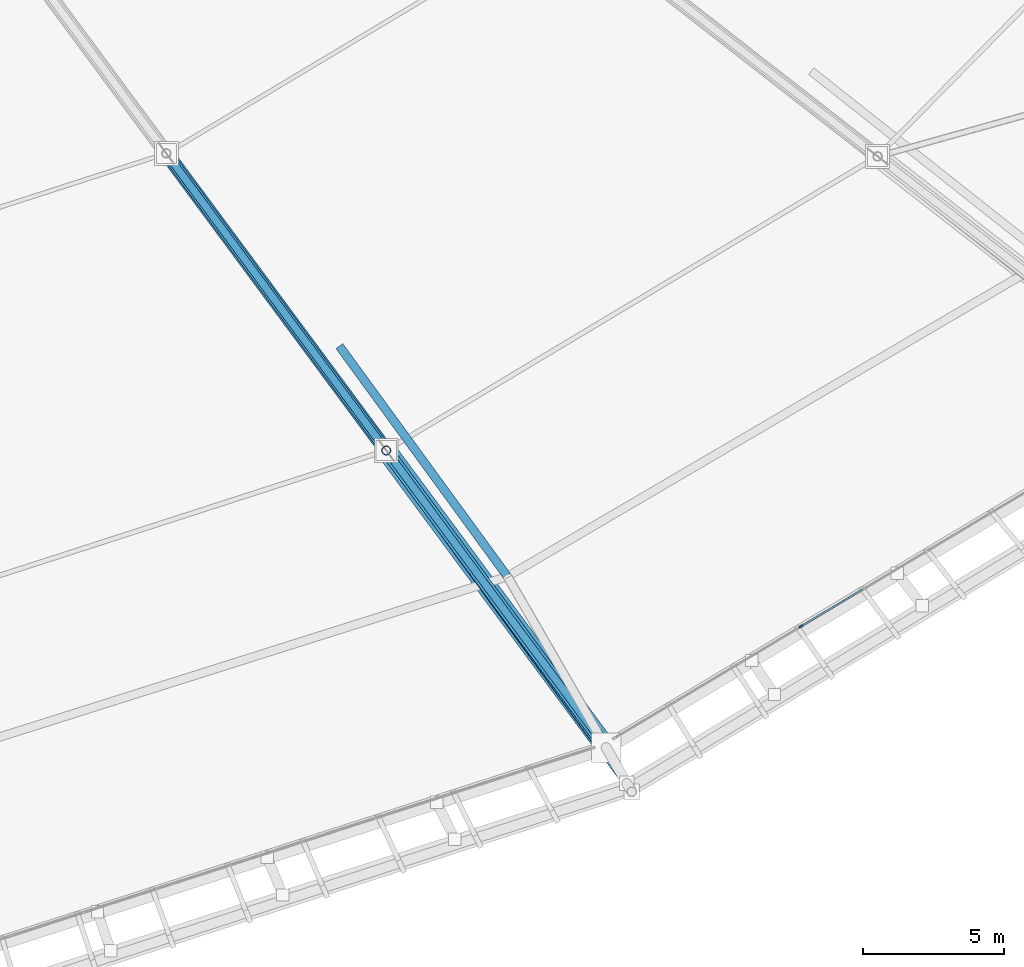
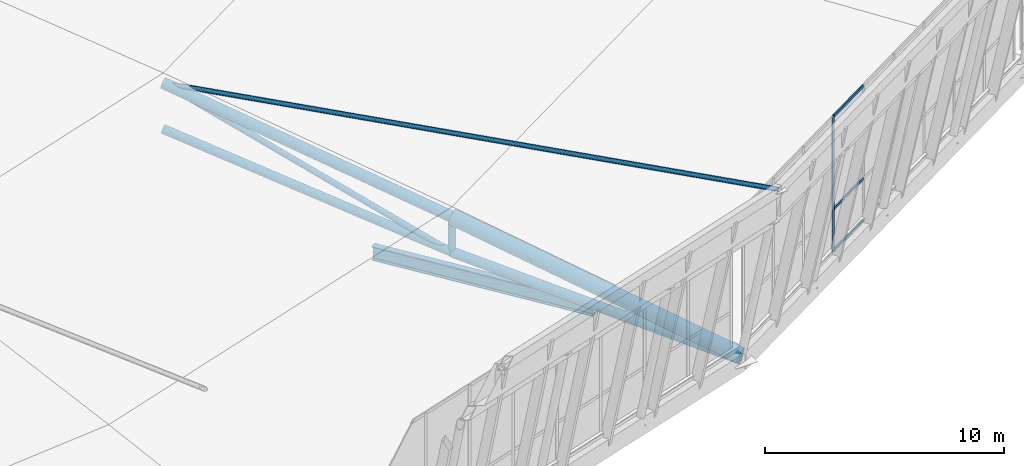
# One storey, part 37 of 115: 12 members, 1 beam, 1 element without a shape of its own.
"""IFC4 building model written with IfcOpenShell, lengths in metres."""

from ifc_helpers import new_model, si_unit, direction, frame, origin, origin_2d, place, context, subcontext, project, spatial, rectangle, hollow_circle, i_section, extrude, material, material_profile, profile_set, type_object, element, aggregate, save


model = new_model("IFC4")

# Units and contexts
model_context = context("Model", 3, precision=1e-05, world=origin(), true_north=direction((0.0, 1.0)))
body_context = subcontext(model_context, "Body", "Model", "MODEL_VIEW")
ifc_project = project(units=[si_unit("LENGTHUNIT", "METRE"), si_unit("AREAUNIT", "SQUARE_METRE"), si_unit("VOLUMEUNIT", "CUBIC_METRE"), si_unit("PLANEANGLEUNIT", "RADIAN"), si_unit("MASSUNIT", "GRAM", prefix="KILO")], contexts=[model_context])

# Site, building, storey
site_placement = place(None, origin())
site = spatial("IfcSite", under=ifc_project, at=site_placement, CompositionType="ELEMENT")
building_placement = place(site_placement, origin())
building = spatial("IfcBuilding", under=site, at=building_placement, Name="Zlatoyarsky Gate Stadium", CompositionType="ELEMENT")
storey_placement = place(building_placement, frame((0.0, 0.0, 31.800048828125)))
storey = spatial("IfcBuildingStorey", under=building, at=storey_placement, Name="RF", CompositionType="ELEMENT", Elevation=31.800048828125)

# Curtain wall, members
ifc_material_1 = material(Name="Thermally broken anodised aluminium curtain wall", Category="aluminium")
curtain_wall_type = type_object("IfcCurtainWallType", Name="UNITISED SKYBOX RING GLAZING L05", PredefinedType="USERDEFINED", material=ifc_material_1)
curtain_wall_placement = place(storey_placement, origin())
curtain_wall = element("IfcCurtainWall", 1, at=curtain_wall_placement, inside=storey, type_object=curtain_wall_type, Name="Curtain wall CW-RF-20", ObjectType="UNITISED GLAZING", PredefinedType="USERDEFINED")
ifc_material_2 = material(Name="Anodised aluminium 6063-T6", Category="aluminium")
ifc_material_profile_1 = material_profile(ifc_material_2, rectangle(XDim=0.06494140625, YDim=0.159912109375, at=origin_2d()), Name="ALU 65X160")
ifc_profile_set_1 = profile_set([ifc_material_profile_1], Name="Anodised aluminium 6063-T6")
member_type_1 = type_object("IfcMemberType", Name="ALUMINIUM MULLION 65X160", PredefinedType="MULLION", material=ifc_profile_set_1)
member_1_placement = place(storey_placement, frame((167.9541015625, 16.74169921875, 0.0), z_axis=(0.0, 0.0, 1.0), x_axis=(-0.513435995817, 0.858127891517, 0.0)))
member_1 = element("IfcMember", 2, at=member_1_placement, type_object=member_type_1, Name="CW-UG5 mullion 4", PredefinedType="MULLION", context=body_context, shape_type="SweptSolid", body=[
    extrude(rectangle(XDim=0.06494140625, YDim=0.159912109375, at=origin_2d()), origin(), (0.0, 0.0, 1.0), 6.89990234375),
])
ifc_material_profile_2 = material_profile(ifc_material_2, rectangle(XDim=0.06494140625, YDim=0.139892578125, at=origin_2d()), Name="ALU 65X140")
ifc_profile_set_2 = profile_set([ifc_material_profile_2], Name="Anodised aluminium 6063-T6")
member_type_2 = type_object("IfcMemberType", Name="ALUMINIUM TRANSOM 65X140", PredefinedType="USERDEFINED", material=ifc_profile_set_2)
member_2_placement = place(storey_placement, frame((167.98193359375, 16.758544921875, 0.032470703125), z_axis=(0.858149243312, 0.51340030795, 0.0), x_axis=(-0.51340030795, 0.858149243312, 0.0)))
member_2 = element("IfcMember", 3, at=member_2_placement, type_object=member_type_2, Name="CW-UG5 transom 4.1", ObjectType="TRANSOM", PredefinedType="USERDEFINED", context=body_context, shape_type="SweptSolid", body=[
    extrude(rectangle(XDim=0.06494140625, YDim=0.139892578125, at=origin_2d()), origin(), (0.0, 0.0, 1.0), 2.524658203125),
])
member_3_placement = place(storey_placement, frame((167.98193359375, 16.758544921875, 2.14990234375), z_axis=(0.858149243312, 0.51340030795, 0.0), x_axis=(-0.51340030795, 0.858149243312, 0.0)))
member_3 = element("IfcMember", 4, at=member_3_placement, type_object=member_type_2, Name="CW-UG5 transom 4.2", ObjectType="TRANSOM", PredefinedType="USERDEFINED", context=body_context, shape_type="SweptSolid", body=[
    extrude(rectangle(XDim=0.06494140625, YDim=0.139892578125, at=origin_2d()), origin(), (0.0, 0.0, 1.0), 2.524658203125),
])
member_4_placement = place(storey_placement, frame((167.98193359375, 16.758544921875, 6.867431640625), z_axis=(0.858149243312, 0.51340030795, 0.0), x_axis=(-0.51340030795, 0.858149243312, 0.0)))
member_4 = element("IfcMember", 5, at=member_4_placement, type_object=member_type_2, Name="CW-UG5 transom 4.3", ObjectType="TRANSOM", PredefinedType="USERDEFINED", context=body_context, shape_type="SweptSolid", body=[
    extrude(rectangle(XDim=0.06494140625, YDim=0.139892578125, at=origin_2d()), origin(), (0.0, 0.0, 1.0), 2.524658203125),
])
aggregate(curtain_wall, [member_1, member_2, member_3, member_4])

# Members
ifc_material_3 = material(Name="Steel S355", Category="steel")
ifc_material_profile_3 = material_profile(ifc_material_3, hollow_circle(Radius=0.228515625, WallThickness=0.02490234375, at=origin_2d()), Name="CHS 457X25")
ifc_profile_set_3 = profile_set([ifc_material_profile_3], Name="Steel S355")
member_type_3 = type_object("IfcMemberType", Name="STEEL ARCH BOTTOM CHORD CHS 457X25", PredefinedType="CHORD", material=ifc_profile_set_3)
member_5_placement = place(storey_placement, frame((161.013916015625, 12.426025390625, -0.449951171875), z_axis=(-0.589420339324, 0.796361331741, 0.135618187937), x_axis=(-0.80378738221, -0.594916669963, 0.0)))
element("IfcMember", 6, at=member_5_placement, inside=storey, type_object=member_type_3, Name="Radial truss R21 bottom chord 1", PredefinedType="CHORD", context=body_context, shape_type="SweptSolid", body=[
    extrude(hollow_circle(Radius=0.228515625, WallThickness=0.02490234375, at=origin_2d()), origin(), (0.0, 0.0, 1.0), 13.27099609375),
])
ifc_material_profile_4 = material_profile(ifc_material_3, hollow_circle(Radius=0.203125, WallThickness=0.02001953125, at=origin_2d()), Name="CHS 406.4X20")
ifc_profile_set_4 = profile_set([ifc_material_profile_4], Name="Steel S355")
member_type_4 = type_object("IfcMemberType", Name="STEEL ARCH INNER CHORD CHS 406.4X20", PredefinedType="CHORD", material=ifc_profile_set_4)
member_6_placement = place(storey_placement, frame((153.191650390625, 22.99462890625, 1.349853515625), z_axis=(-0.583615114034, 0.788517936062, 0.193991915245), x_axis=(-0.80378738221, -0.594916669963, 0.0)))
element("IfcMember", 7, at=member_6_placement, inside=storey, type_object=member_type_4, Name="Radial truss R21 bottom chord 2", PredefinedType="CHORD", context=body_context, shape_type="SweptSolid", body=[
    extrude(hollow_circle(Radius=0.203125, WallThickness=0.02001953125, at=origin_2d()), origin(), (0.0, 0.0, 1.0), 13.403076171875),
])
ifc_material_profile_5 = material_profile(ifc_material_3, hollow_circle(Radius=0.25390625, WallThickness=0.02490234375, at=origin_2d()), Name="CHS 508X25")
ifc_profile_set_5 = profile_set([ifc_material_profile_5], Name="Steel S355")
member_type_5 = type_object("IfcMemberType", Name="STEEL ARCH TOP CHORD CHS 508X25", PredefinedType="CHORD", material=ifc_profile_set_5)
member_7_placement = place(storey_placement, frame((153.191650390625, 22.99462890625, 3.14990234375), z_axis=(-0.578544238692, 0.781666715004, 0.232988648934), x_axis=(-0.80378738221, -0.594916669963, 0.0)))
element("IfcMember", 8, at=member_7_placement, inside=storey, type_object=member_type_5, Name="Radial truss R21 top chord 2", PredefinedType="CHORD", context=body_context, shape_type="SweptSolid", body=[
    extrude(hollow_circle(Radius=0.25390625, WallThickness=0.02490234375, at=origin_2d()), origin(), (0.0, 0.0, 1.0), 13.5205078125),
])
ifc_material_profile_6 = material_profile(ifc_material_3, hollow_circle(Radius=0.35546875, WallThickness=0.031982421875, at=origin_2d()), Name="CHS 711X32")
ifc_profile_set_6 = profile_set([ifc_material_profile_6], Name="Steel S355")
member_type_6 = type_object("IfcMemberType", Name="STEEL ARCH TOP CHORD CHS 711X32", PredefinedType="CHORD", material=ifc_profile_set_6)
member_8_placement = place(storey_placement, frame((161.013916015625, 12.426025390625, -0.25), z_axis=(-0.575972825416, 0.778192498109, 0.250343244904), x_axis=(-0.80378738221, -0.594916669963, 0.0)))
element("IfcMember", 9, at=member_8_placement, inside=storey, type_object=member_type_6, Name="Radial truss R21 top chord 1", PredefinedType="CHORD", context=body_context, shape_type="SweptSolid", body=[
    extrude(hollow_circle(Radius=0.35546875, WallThickness=0.031982421875, at=origin_2d()), origin(), (0.0, 0.0, 1.0), 13.5810546875),
])
ifc_material_profile_7 = material_profile(ifc_material_3, hollow_circle(Radius=0.109619140625, WallThickness=0.012451171875, at=origin_2d()), Name="CHS 219.1X12.5")
ifc_profile_set_7 = profile_set([ifc_material_profile_7], Name="Steel S355")
member_type_7 = type_object("IfcMemberType", Name="STEEL CANOPY WIND BRACE CHS 219.1X12.5", PredefinedType="BRACE", material=ifc_profile_set_7)
member_9_placement = place(storey_placement, frame((161.922119140625, 10.852783203125, 8.849853515625), z_axis=(-0.586600680652, 0.804819594626, -0.090360730217), x_axis=(-0.80812555425, -0.589010261853, 0.0)))
element("IfcMember", 10, at=member_9_placement, inside=storey, type_object=member_type_7, Name="Crown fascia tie brace 20", PredefinedType="BRACE", context=body_context, shape_type="SweptSolid", body=[
    extrude(hollow_circle(Radius=0.109619140625, WallThickness=0.012451171875, at=origin_2d()), origin(), (0.0, 0.0, 1.0), 28.218017578125),
])

# Beam
ifc_material_profile_8 = material_profile(ifc_material_3, i_section(OverallWidth=0.300048828125, OverallDepth=0.699951171875, WebThickness=0.01708984375, FlangeThickness=0.031982421875, FilletRadius=0.027099609375, at=origin_2d()), Name="HEB 700")
ifc_profile_set_8 = profile_set([ifc_material_profile_8], Name="Steel S355")
beam_type = type_object("IfcBeamType", Name="STEEL ROOF RING GIRDER HEB 700", PredefinedType="BEAM", material=ifc_profile_set_8)
beam_placement = place(storey_placement, frame((151.523681640625, 26.70703125, -0.300048828125), z_axis=(0.589220146404, -0.807972536087, 0.0), x_axis=(0.807972536087, 0.589220146404, 0.0)))
element("IfcBeam", 11, at=beam_placement, inside=storey, type_object=beam_type, Name="RF roof tie girder BM-RF-RBC-20", PredefinedType="BEAM", context=body_context, shape_type="SweptSolid", body=[
    extrude(i_section(OverallWidth=0.300048828125, OverallDepth=0.699951171875, WebThickness=0.01708984375, FlangeThickness=0.031982421875, FilletRadius=0.027099609375, at=origin_2d()), origin(), (0.0, 0.0, 1.0), 10.1025390625),
])

# Members
ifc_material_profile_9 = material_profile(ifc_material_3, hollow_circle(Radius=0.136474609375, WallThickness=0.01611328125, at=origin_2d()), Name="CHS 273X16")
ifc_profile_set_9 = profile_set([ifc_material_profile_9], Name="Steel S355")
member_type_8 = type_object("IfcMemberType", Name="STEEL ROOF TRUSS DIAGONAL CHS 273X16", PredefinedType="BRACE", material=ifc_profile_set_9)
member_10_placement = place(storey_placement, frame((161.013916015625, 12.426025390625, -0.449951171875), z_axis=(-0.573799851096, 0.775256609054, 0.264066129975), x_axis=(-0.80378738221, -0.594916669963, 0.0)))
element("IfcMember", 12, at=member_10_placement, inside=storey, type_object=member_type_8, Name="Radial truss R21 web diagonal 1", PredefinedType="BRACE", context=body_context, shape_type="SweptSolid", body=[
    extrude(hollow_circle(Radius=0.136474609375, WallThickness=0.01611328125, at=origin_2d()), origin(), (0.0, 0.0, 1.0), 13.63232421875),
])
member_11_placement = place(storey_placement, frame((153.191650390625, 22.99462890625, 1.349853515625), z_axis=(-0.55676582184, 0.752242061849, 0.352340318465), x_axis=(-0.80378738221, -0.594916669963, 0.0)))
element("IfcMember", 13, at=member_11_placement, inside=storey, type_object=member_type_8, Name="Radial truss R21 web diagonal 2", PredefinedType="BRACE", context=body_context, shape_type="SweptSolid", body=[
    extrude(hollow_circle(Radius=0.136474609375, WallThickness=0.01611328125, at=origin_2d()), origin(), (0.0, 0.0, 1.0), 14.049560546875),
])
ifc_material_profile_10 = material_profile(ifc_material_3, hollow_circle(Radius=0.161865234375, WallThickness=0.01611328125, at=origin_2d()), Name="CHS 323.9X16")
ifc_profile_set_10 = profile_set([ifc_material_profile_10], Name="Steel S355")
member_type_9 = type_object("IfcMemberType", Name="STEEL TRUSS WEB STRUT CHS 323.9X16", PredefinedType="STRUT", material=ifc_profile_set_10)
member_12_placement = place(storey_placement, frame((153.191650390625, 22.99462890625, 1.349853515625), z_axis=(0.0, 0.0, 1.0), x_axis=(1.0, 0.0, 0.0)))
element("IfcMember", 14, at=member_12_placement, inside=storey, type_object=member_type_9, Name="Radial truss R21 web strut 1", PredefinedType="STRUT", context=body_context, shape_type="SweptSolid", body=[
    extrude(hollow_circle(Radius=0.161865234375, WallThickness=0.01611328125, at=origin_2d()), origin(), (0.0, 0.0, 1.0), 1.800048828125),
])

save(model, "model.ifc")
